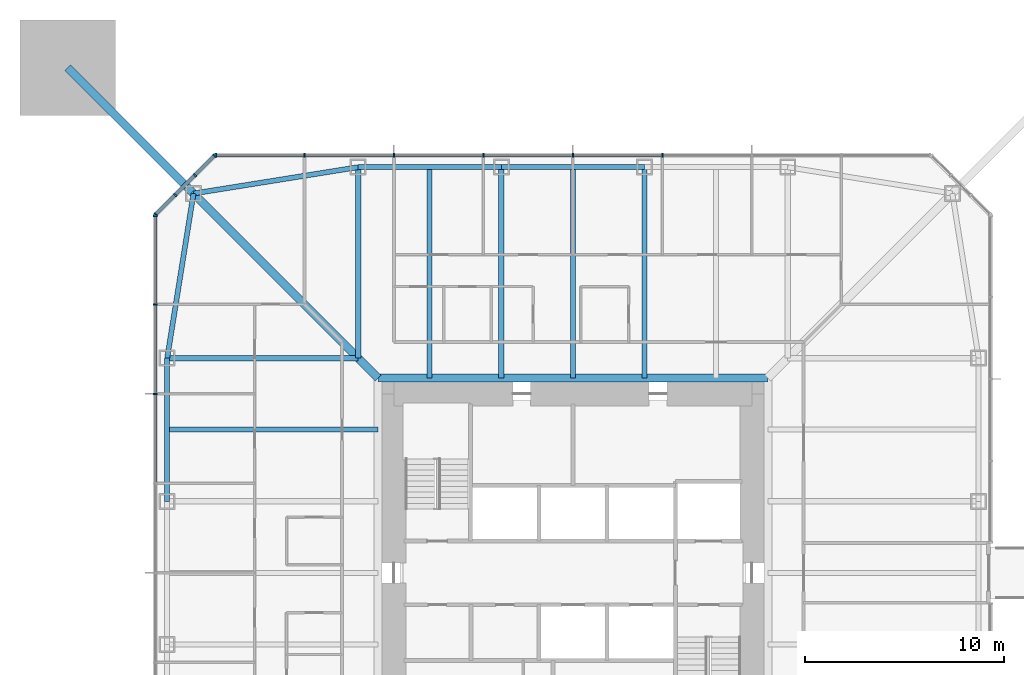
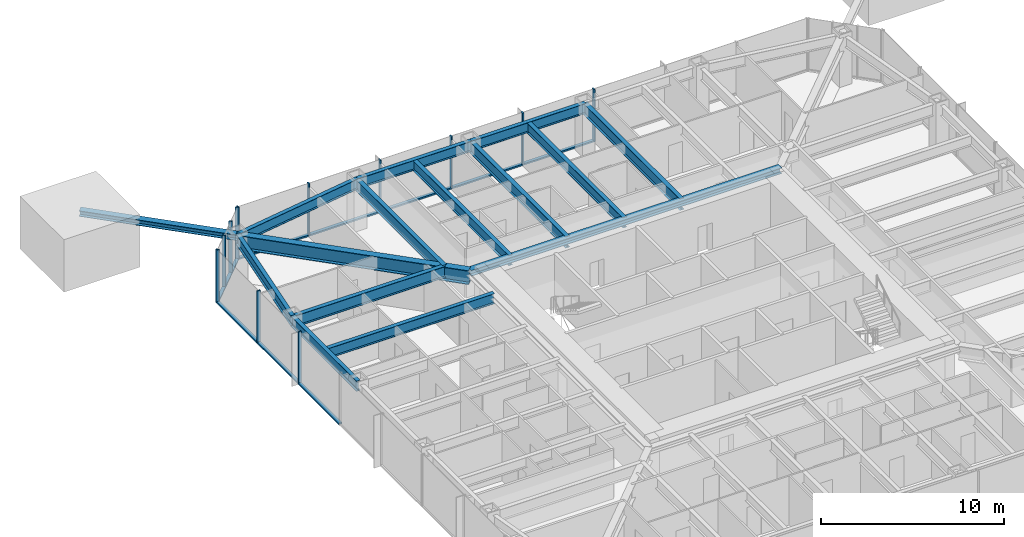
# One storey, part 7 of 23: 25 members, 14 beams, 3 elements without a shape of their own.
"""IFC4 building model written with IfcOpenShell, lengths in metres."""

from ifc_helpers import new_model, si_unit, direction, frame, origin, origin_2d, place, context, subcontext, project, spatial, rectangle, i_section, extrude, material, material_profile, profile_set, type_object, element, aggregate, save


model = new_model("IFC4")

# Units and contexts
model_context = context("Model", 3, precision=1e-05, world=origin(), true_north=direction((0.0, 1.0)))
body_context = subcontext(model_context, "Body", "Model", "MODEL_VIEW")
ifc_project = project(units=[si_unit("LENGTHUNIT", "METRE"), si_unit("AREAUNIT", "SQUARE_METRE"), si_unit("VOLUMEUNIT", "CUBIC_METRE"), si_unit("PLANEANGLEUNIT", "RADIAN"), si_unit("MASSUNIT", "GRAM", prefix="KILO")], contexts=[model_context])

# Site, building, storey
site_placement = place(None, origin())
site = spatial("IfcSite", under=ifc_project, at=site_placement, CompositionType="ELEMENT")
building_placement = place(site_placement, origin())
building = spatial("IfcBuilding", under=site, at=building_placement, Name="Iwan Alto Co-Living Towers", CompositionType="ELEMENT")
storey_placement = place(building_placement, frame((0.0, 0.0, 129.5)))
storey = spatial("IfcBuildingStorey", under=building, at=storey_placement, Name="L35", CompositionType="ELEMENT", Elevation=129.5)

# Curtain wall, members
ifc_material_1 = material(Name="Bronze aluminium unitised frame", Category="aluminium")
curtain_wall_type_1 = type_object("IfcCurtainWallType", Name="CURTAIN WALL CW-A", PredefinedType="NOTDEFINED", material=ifc_material_1)
curtain_wall_1_placement = place(storey_placement, origin())
curtain_wall_1 = element("IfcCurtainWall", 1, at=curtain_wall_1_placement, inside=storey, type_object=curtain_wall_type_1, Name="T1 curtain wall N L35", PredefinedType="NOTDEFINED")
ifc_material_2 = material(Name="Aluminium 6063-T6 bronze anodised", Category="aluminium")
ifc_material_profile_1 = material_profile(ifc_material_2, rectangle(XDim=0.199951171875, YDim=0.080078125, at=origin_2d()), Name="AL 80X200")
ifc_profile_set_1 = profile_set([ifc_material_profile_1], Name="Aluminium 6063-T6 bronze anodised")
member_type_1 = type_object("IfcMemberType", Name="CW-A MULLION 80X200", PredefinedType="MULLION", material=ifc_profile_set_1)
member_1_placement = place(storey_placement, frame((4.5, 21.0, 0.0), z_axis=(0.0, 0.0, 1.0), x_axis=(0.0, -1.0, 0.0)))
member_1 = element("IfcMember", 2, at=member_1_placement, type_object=member_type_1, Name="CW-A mullion 4", PredefinedType="MULLION", context=body_context, shape_type="SweptSolid", body=[
    extrude(rectangle(XDim=0.199951171875, YDim=0.080078125, at=origin_2d()), origin(), (0.0, 0.0, 1.0), 3.5),
])
member_2_placement = place(storey_placement, frame((0.0, 21.0, 0.0), z_axis=(0.0, 0.0, 1.0), x_axis=(0.0, -1.0, 0.0)))
member_2 = element("IfcMember", 3, at=member_2_placement, type_object=member_type_1, Name="CW-A mullion 5", PredefinedType="MULLION", context=body_context, shape_type="SweptSolid", body=[
    extrude(rectangle(XDim=0.199951171875, YDim=0.080078125, at=origin_2d()), origin(), (0.0, 0.0, 1.0), 3.5),
])
member_3_placement = place(storey_placement, frame((-4.5, 21.0, 0.0), z_axis=(0.0, 0.0, 1.0), x_axis=(0.0, -1.0, 0.0)))
member_3 = element("IfcMember", 4, at=member_3_placement, type_object=member_type_1, Name="CW-A mullion 6", PredefinedType="MULLION", context=body_context, shape_type="SweptSolid", body=[
    extrude(rectangle(XDim=0.199951171875, YDim=0.080078125, at=origin_2d()), origin(), (0.0, 0.0, 1.0), 3.5),
])
member_4_placement = place(storey_placement, frame((-9.0, 21.0, 0.0), z_axis=(0.0, 0.0, 1.0), x_axis=(0.0, -1.0, 0.0)))
member_4 = element("IfcMember", 5, at=member_4_placement, type_object=member_type_1, Name="CW-A mullion 7", PredefinedType="MULLION", context=body_context, shape_type="SweptSolid", body=[
    extrude(rectangle(XDim=0.199951171875, YDim=0.080078125, at=origin_2d()), origin(), (0.0, 0.0, 1.0), 3.5),
])
member_5_placement = place(storey_placement, frame((-13.5, 21.0, 0.0), z_axis=(0.0, 0.0, 1.0), x_axis=(0.0, -1.0, 0.0)))
member_5 = element("IfcMember", 6, at=member_5_placement, type_object=member_type_1, Name="CW-A mullion 8", PredefinedType="MULLION", context=body_context, shape_type="SweptSolid", body=[
    extrude(rectangle(XDim=0.199951171875, YDim=0.080078125, at=origin_2d()), origin(), (0.0, 0.0, 1.0), 3.5),
])
member_6_placement = place(storey_placement, frame((-17.9599609375, 21.0, 0.0), z_axis=(0.0, 0.0, 1.0), x_axis=(0.0, -1.0, 0.0)))
member_6 = element("IfcMember", 7, at=member_6_placement, type_object=member_type_1, Name="CW-A mullion 9", PredefinedType="MULLION", context=body_context, shape_type="SweptSolid", body=[
    extrude(rectangle(XDim=0.199951171875, YDim=0.080078125, at=origin_2d()), origin(), (0.0, 0.0, 1.0), 3.5),
])

curtain_wall_2_placement = place(storey_placement, origin())
curtain_wall_2 = element("IfcCurtainWall", 8, at=curtain_wall_2_placement, inside=storey, type_object=curtain_wall_type_1, Name="T1 curtain wall W L35", PredefinedType="NOTDEFINED")
member_7_placement = place(storey_placement, frame((-21.0, 17.9599609375, 0.0), z_axis=(0.0, 0.0, 1.0), x_axis=(1.0, 0.0, 0.0)))
member_7 = element("IfcMember", 9, at=member_7_placement, type_object=member_type_1, Name="CW-A mullion 1", PredefinedType="MULLION", context=body_context, shape_type="SweptSolid", body=[
    extrude(rectangle(XDim=0.199951171875, YDim=0.080078125, at=origin_2d()), origin(), (0.0, 0.0, 1.0), 3.5),
])
member_8_placement = place(storey_placement, frame((-21.0, 13.5, 0.0), z_axis=(0.0, 0.0, 1.0), x_axis=(1.0, 0.0, 0.0)))
member_8 = element("IfcMember", 10, at=member_8_placement, type_object=member_type_1, Name="CW-A mullion 2", PredefinedType="MULLION", context=body_context, shape_type="SweptSolid", body=[
    extrude(rectangle(XDim=0.199951171875, YDim=0.080078125, at=origin_2d()), origin(), (0.0, 0.0, 1.0), 3.5),
])
member_9_placement = place(storey_placement, frame((-21.0, 9.0, 0.0), z_axis=(0.0, 0.0, 1.0), x_axis=(1.0, 0.0, 0.0)))
member_9 = element("IfcMember", 11, at=member_9_placement, type_object=member_type_1, Name="CW-A mullion 3", PredefinedType="MULLION", context=body_context, shape_type="SweptSolid", body=[
    extrude(rectangle(XDim=0.199951171875, YDim=0.080078125, at=origin_2d()), origin(), (0.0, 0.0, 1.0), 3.5),
])

# Member
ifc_material_3 = material(Name="Aluminium 6063-T6 bronze anodised", Category="aluminium")
ifc_material_profile_2 = material_profile(ifc_material_3, rectangle(XDim=0.199951171875, YDim=0.10009765625, at=origin_2d()), Name="AL 200X100")
ifc_profile_set_2 = profile_set([ifc_material_profile_2], Name="Aluminium 6063-T6 bronze anodised")
member_type_2 = type_object("IfcMemberType", Name="CW-A TRANSOM 200X100", PredefinedType="USERDEFINED", material=ifc_profile_set_2)
member_10_placement = place(storey_placement, frame((4.4599609375, 21.0, 0.050048828125), z_axis=(-1.0, 0.0, 0.0), x_axis=(0.0, -1.0, 0.0)))
member_10 = element("IfcMember", 12, at=member_10_placement, type_object=member_type_2, Name="CW-A transom 4.1", ObjectType="TRANSOM", PredefinedType="USERDEFINED", context=body_context, shape_type="SweptSolid", body=[
    extrude(rectangle(XDim=0.199951171875, YDim=0.10009765625, at=origin_2d()), origin(), (0.0, 0.0, 1.0), 4.419921875),
])

member_11_placement = place(storey_placement, frame((-0.0400390625, 21.0, 0.050048828125), z_axis=(-1.0, 0.0, 0.0), x_axis=(0.0, -1.0, 0.0)))
member_11 = element("IfcMember", 13, at=member_11_placement, type_object=member_type_2, Name="CW-A transom 5.1", ObjectType="TRANSOM", PredefinedType="USERDEFINED", context=body_context, shape_type="SweptSolid", body=[
    extrude(rectangle(XDim=0.199951171875, YDim=0.10009765625, at=origin_2d()), origin(), (0.0, 0.0, 1.0), 4.419921875),
])

member_12_placement = place(storey_placement, frame((-4.5400390625, 21.0, 0.050048828125), z_axis=(-1.0, 0.0, 0.0), x_axis=(0.0, -1.0, 0.0)))
member_12 = element("IfcMember", 14, at=member_12_placement, type_object=member_type_2, Name="CW-A transom 6.1", ObjectType="TRANSOM", PredefinedType="USERDEFINED", context=body_context, shape_type="SweptSolid", body=[
    extrude(rectangle(XDim=0.199951171875, YDim=0.10009765625, at=origin_2d()), origin(), (0.0, 0.0, 1.0), 4.419921875),
])

member_13_placement = place(storey_placement, frame((-9.0400390625, 21.0, 0.050048828125), z_axis=(-1.0, 0.0, 0.0), x_axis=(0.0, -1.0, 0.0)))
member_13 = element("IfcMember", 15, at=member_13_placement, type_object=member_type_2, Name="CW-A transom 7.1", ObjectType="TRANSOM", PredefinedType="USERDEFINED", context=body_context, shape_type="SweptSolid", body=[
    extrude(rectangle(XDim=0.199951171875, YDim=0.10009765625, at=origin_2d()), origin(), (0.0, 0.0, 1.0), 4.419921875),
])

member_14_placement = place(storey_placement, frame((-13.5400390625, 21.0, 0.050048828125), z_axis=(-1.0, 0.0, 0.0), x_axis=(0.0, -1.0, 0.0)))
member_14 = element("IfcMember", 16, at=member_14_placement, type_object=member_type_2, Name="CW-A transom 8.1", ObjectType="TRANSOM", PredefinedType="USERDEFINED", context=body_context, shape_type="SweptSolid", body=[
    extrude(rectangle(XDim=0.199951171875, YDim=0.10009765625, at=origin_2d()), origin(), (0.0, 0.0, 1.0), 4.3798828125),
])

aggregate(curtain_wall_1, [member_1, member_2, member_3, member_4, member_5, member_6, member_10, member_11, member_12, member_13, member_14])

member_15_placement = place(storey_placement, frame((-21.0, 17.919921875, 0.050048828125), z_axis=(0.0, -1.0, 0.0), x_axis=(1.0, 0.0, 0.0)))
member_15 = element("IfcMember", 17, at=member_15_placement, type_object=member_type_2, Name="CW-A transom 1.1", ObjectType="TRANSOM", PredefinedType="USERDEFINED", context=body_context, shape_type="SweptSolid", body=[
    extrude(rectangle(XDim=0.199951171875, YDim=0.10009765625, at=origin_2d()), origin(), (0.0, 0.0, 1.0), 4.3798828125),
])

member_16_placement = place(storey_placement, frame((-21.0, 13.4599609375, 0.050048828125), z_axis=(0.0, -1.0, 0.0), x_axis=(1.0, 0.0, 0.0)))
member_16 = element("IfcMember", 18, at=member_16_placement, type_object=member_type_2, Name="CW-A transom 2.1", ObjectType="TRANSOM", PredefinedType="USERDEFINED", context=body_context, shape_type="SweptSolid", body=[
    extrude(rectangle(XDim=0.199951171875, YDim=0.10009765625, at=origin_2d()), origin(), (0.0, 0.0, 1.0), 4.419921875),
])

member_17_placement = place(storey_placement, frame((-21.0, 8.9599609375, 0.050048828125), z_axis=(0.0, -1.0, 0.0), x_axis=(1.0, 0.0, 0.0)))
member_17 = element("IfcMember", 19, at=member_17_placement, type_object=member_type_2, Name="CW-A transom 3.1", ObjectType="TRANSOM", PredefinedType="USERDEFINED", context=body_context, shape_type="SweptSolid", body=[
    extrude(rectangle(XDim=0.199951171875, YDim=0.10009765625, at=origin_2d()), origin(), (0.0, 0.0, 1.0), 4.419921875),
])

aggregate(curtain_wall_2, [member_7, member_8, member_9, member_15, member_16, member_17])

# Curtain wall, members
ifc_material_4 = material(Name="Bronze aluminium unitised frame", Category="aluminium")
curtain_wall_type_2 = type_object("IfcCurtainWallType", Name="CURTAIN WALL CW-B", PredefinedType="NOTDEFINED", material=ifc_material_4)
curtain_wall_3_placement = place(storey_placement, origin())
curtain_wall_3 = element("IfcCurtainWall", 20, at=curtain_wall_3_placement, inside=storey, type_object=curtain_wall_type_2, Name="T1 chamfer curtain wall NW L35", PredefinedType="NOTDEFINED")
ifc_material_5 = material(Name="Aluminium 6063-T6 bronze anodised", Category="aluminium")
ifc_material_profile_3 = material_profile(ifc_material_5, rectangle(XDim=0.199951171875, YDim=0.080078125, at=origin_2d()), Name="AL 80X200")
ifc_profile_set_3 = profile_set([ifc_material_profile_3], Name="Aluminium 6063-T6 bronze anodised")
member_type_3 = type_object("IfcMemberType", Name="CW-B MULLION 80X200", PredefinedType="MULLION", material=ifc_profile_set_3)
member_18_placement = place(storey_placement, frame((-18.0283203125, 20.9716796875, 0.0), z_axis=(0.0, 0.0, 1.0), x_axis=(0.707106781187, -0.707106781187, 0.0)))
member_18 = element("IfcMember", 21, at=member_18_placement, type_object=member_type_3, Name="CW-B mullion 1", PredefinedType="MULLION", context=body_context, shape_type="SweptSolid", body=[
    extrude(rectangle(XDim=0.199951171875, YDim=0.080078125, at=origin_2d()), origin(), (0.0, 0.0, 1.0), 3.5),
])
member_19_placement = place(storey_placement, frame((-19.0, 20.0, 0.0), z_axis=(0.0, 0.0, 1.0), x_axis=(0.707106781187, -0.707106781187, 0.0)))
member_19 = element("IfcMember", 22, at=member_19_placement, type_object=member_type_3, Name="CW-B mullion 2", PredefinedType="MULLION", context=body_context, shape_type="SweptSolid", body=[
    extrude(rectangle(XDim=0.199951171875, YDim=0.080078125, at=origin_2d()), origin(), (0.0, 0.0, 1.0), 3.5),
])
member_20_placement = place(storey_placement, frame((-20.0, 19.0, 0.0), z_axis=(0.0, 0.0, 1.0), x_axis=(0.707106781187, -0.707106781187, 0.0)))
member_20 = element("IfcMember", 23, at=member_20_placement, type_object=member_type_3, Name="CW-B mullion 3", PredefinedType="MULLION", context=body_context, shape_type="SweptSolid", body=[
    extrude(rectangle(XDim=0.199951171875, YDim=0.080078125, at=origin_2d()), origin(), (0.0, 0.0, 1.0), 3.5),
])
member_21_placement = place(storey_placement, frame((-20.9716796875, 18.0283203125, 0.0), z_axis=(0.0, 0.0, 1.0), x_axis=(0.707106781187, -0.707106781187, 0.0)))
member_21 = element("IfcMember", 24, at=member_21_placement, type_object=member_type_3, Name="CW-B mullion 4", PredefinedType="MULLION", context=body_context, shape_type="SweptSolid", body=[
    extrude(rectangle(XDim=0.199951171875, YDim=0.080078125, at=origin_2d()), origin(), (0.0, 0.0, 1.0), 3.5),
])
ifc_material_6 = material(Name="Aluminium 6063-T6 bronze anodised", Category="aluminium")
ifc_material_profile_4 = material_profile(ifc_material_6, rectangle(XDim=0.199951171875, YDim=0.10009765625, at=origin_2d()), Name="AL 200X100")
ifc_profile_set_4 = profile_set([ifc_material_profile_4], Name="Aluminium 6063-T6 bronze anodised")
member_type_4 = type_object("IfcMemberType", Name="CW-B TRANSOM 200X100", PredefinedType="USERDEFINED", material=ifc_profile_set_4)
member_22_placement = place(storey_placement, frame((-18.056640625, 20.943359375, 0.050048828125), z_axis=(-0.707106781187, -0.707106781187, 0.0), x_axis=(0.707106781187, -0.707106781187, 0.0)))
member_22 = element("IfcMember", 25, at=member_22_placement, type_object=member_type_4, Name="CW-B transom 1.1", ObjectType="TRANSOM", PredefinedType="USERDEFINED", context=body_context, shape_type="SweptSolid", body=[
    extrude(rectangle(XDim=0.199951171875, YDim=0.10009765625, at=origin_2d()), origin(), (0.0, 0.0, 1.0), 1.2939453125),
])
member_23_placement = place(storey_placement, frame((-19.0283203125, 19.9716796875, 0.050048828125), z_axis=(-0.707106781187, -0.707106781187, 0.0), x_axis=(0.707106781187, -0.707106781187, 0.0)))
member_23 = element("IfcMember", 26, at=member_23_placement, type_object=member_type_4, Name="CW-B transom 2.1", ObjectType="TRANSOM", PredefinedType="USERDEFINED", context=body_context, shape_type="SweptSolid", body=[
    extrude(rectangle(XDim=0.199951171875, YDim=0.10009765625, at=origin_2d()), origin(), (0.0, 0.0, 1.0), 1.334228515625),
])
member_24_placement = place(storey_placement, frame((-20.0283203125, 18.9716796875, 0.050048828125), z_axis=(-0.707106781187, -0.707106781187, 0.0), x_axis=(0.707106781187, -0.707106781187, 0.0)))
member_24 = element("IfcMember", 27, at=member_24_placement, type_object=member_type_4, Name="CW-B transom 3.1", ObjectType="TRANSOM", PredefinedType="USERDEFINED", context=body_context, shape_type="SweptSolid", body=[
    extrude(rectangle(XDim=0.199951171875, YDim=0.10009765625, at=origin_2d()), origin(), (0.0, 0.0, 1.0), 1.2939453125),
])
aggregate(curtain_wall_3, [member_18, member_19, member_20, member_21, member_22, member_23, member_24])

# Beams
ifc_material_7 = material(Name="Steel ASTM A992 Gr 50", Category="steel")
ifc_material_profile_5 = material_profile(ifc_material_7, i_section(OverallWidth=0.398681640625, OverallDepth=0.385986328125, WebThickness=0.02099609375, FlangeThickness=0.033203125, at=origin_2d()), Name="W14X176")
ifc_profile_set_5 = profile_set([ifc_material_profile_5], Name="Steel ASTM A992 Gr 50")
beam_type_1 = type_object("IfcBeamType", Name="T1 CORE LEDGER BEAM W14X176", PredefinedType="BEAM", material=ifc_profile_set_5)
beam_1_placement = place(storey_placement, frame((9.79931640625, 9.79931640625, 3.076904296875), z_axis=(-1.0, 0.0, 0.0), x_axis=(0.0, -1.0, 0.0)))
element("IfcBeam", 28, at=beam_1_placement, inside=storey, type_object=beam_type_1, Name="T1 core ledger beam N L36", PredefinedType="BEAM", context=body_context, shape_type="SweptSolid", body=[
    extrude(i_section(OverallWidth=0.398681640625, OverallDepth=0.385986328125, WebThickness=0.02099609375, FlangeThickness=0.033203125, at=origin_2d()), origin(), (0.0, 0.0, 1.0), 19.5986328125),
])
ifc_material_8 = material(Name="Steel ASTM A992 Gr 50", Category="steel")
ifc_material_profile_6 = material_profile(ifc_material_8, i_section(OverallWidth=0.419189453125, OverallDepth=0.927001953125, WebThickness=0.019287109375, FlangeThickness=0.031982421875, at=origin_2d()), Name="W36X231")
ifc_profile_set_6 = profile_set([ifc_material_profile_6], Name="Steel ASTM A992 Gr 50")
beam_type_2 = type_object("IfcBeamType", Name="T1 CORNER GIRDER W36X231", PredefinedType="BEAM", material=ifc_profile_set_6)
beam_2_placement = place(storey_placement, frame((-19.07568359375, 19.07568359375, 2.806396484375), z_axis=(0.707106781187, -0.707106781187, 0.0), x_axis=(0.707106781187, 0.707106781187, 0.0)))
element("IfcBeam", 29, at=beam_2_placement, inside=storey, type_object=beam_type_2, Name="T1 corner girder CNW L36", PredefinedType="BEAM", context=body_context, shape_type="SweptSolid", body=[
    extrude(i_section(OverallWidth=0.419189453125, OverallDepth=0.927001953125, WebThickness=0.019287109375, FlangeThickness=0.031982421875, at=origin_2d()), origin(), (0.0, 0.0, 1.0), 13.11865234375),
])
ifc_material_9 = material(Name="Steel ASTM A992 Gr 50", Category="steel")
ifc_material_profile_7 = material_profile(ifc_material_9, i_section(OverallWidth=0.25390625, OverallDepth=0.683349609375, WebThickness=0.012451171875, FlangeThickness=0.018798828125, at=origin_2d()), Name="W27X94")
ifc_profile_set_7 = profile_set([ifc_material_profile_7], Name="Steel ASTM A992 Gr 50")
beam_type_3 = type_object("IfcBeamType", Name="T1 EDGE BEAM W27X94", PredefinedType="BEAM", material=ifc_profile_set_7)
beam_3_placement = place(storey_placement, frame((3.60009765625, 20.39990234375, 2.928466796875), z_axis=(-1.0, 0.0, 0.0), x_axis=(0.0, -1.0, 0.0)))
element("IfcBeam", 30, at=beam_3_placement, inside=storey, type_object=beam_type_3, Name="T1 edge beam N2 L36", PredefinedType="BEAM", context=body_context, shape_type="SweptSolid", body=[
    extrude(i_section(OverallWidth=0.25390625, OverallDepth=0.683349609375, WebThickness=0.012451171875, FlangeThickness=0.018798828125, at=origin_2d()), origin(), (0.0, 0.0, 1.0), 7.2001953125),
])
beam_4_placement = place(storey_placement, frame((-3.60009765625, 20.39990234375, 2.928466796875), z_axis=(-1.0, 0.0, 0.0), x_axis=(0.0, -1.0, 0.0)))
element("IfcBeam", 31, at=beam_4_placement, inside=storey, type_object=beam_type_3, Name="T1 edge beam N3 L36", PredefinedType="BEAM", context=body_context, shape_type="SweptSolid", body=[
    extrude(i_section(OverallWidth=0.25390625, OverallDepth=0.683349609375, WebThickness=0.012451171875, FlangeThickness=0.018798828125, at=origin_2d()), origin(), (0.0, 0.0, 1.0), 7.199951171875),
])
for number, where, z_axis, x_axis, name in (
    (32, (-10.800048828125, 20.39990234375, 2.928466796875), (-0.987438450439, -0.158004134737, 0.0), (0.158004134737, -0.987438450439, 0.0), "T1 edge beam N4 L36"),
    (33, (-19.07568359375, 19.07568359375, 2.928466796875), (-0.158004134737, -0.987438450439, 0.0), (0.987438450439, -0.158004134737, 0.0), "T1 edge beam CNW L36"),
):
    element("IfcBeam", number, at=place(storey_placement, frame(where, z_axis=z_axis, x_axis=x_axis)), inside=storey, type_object=beam_type_3, Name=name, PredefinedType="BEAM", context=body_context, shape_type="SweptSolid", body=[
        extrude(i_section(OverallWidth=0.25390625, OverallDepth=0.683349609375, WebThickness=0.012451171875, FlangeThickness=0.018798828125, at=origin_2d()), origin(), (0.0, 0.0, 1.0), 8.380859375),
    ])
beam_5_placement = place(storey_placement, frame((-20.39990234375, 10.800048828125, 2.928466796875), z_axis=(0.0, -1.0, 0.0), x_axis=(1.0, 0.0, 0.0)))
element("IfcBeam", 34, at=beam_5_placement, inside=storey, type_object=beam_type_3, Name="T1 edge beam W1 L36", PredefinedType="BEAM", context=body_context, shape_type="SweptSolid", body=[
    extrude(i_section(OverallWidth=0.25390625, OverallDepth=0.683349609375, WebThickness=0.012451171875, FlangeThickness=0.018798828125, at=origin_2d()), origin(), (0.0, 0.0, 1.0), 7.199951171875),
])

# Member
ifc_material_10 = material(Name="Steel ASTM A992 Gr 50", Category="steel")
ifc_material_profile_8 = material_profile(ifc_material_10, i_section(OverallWidth=0.393798828125, OverallDepth=0.3759765625, WebThickness=0.017333984375, FlangeThickness=0.027587890625, at=origin_2d()), Name="W14X145")
ifc_profile_set_8 = profile_set([ifc_material_profile_8], Name="Steel ASTM A992 Gr 50")
member_type_5 = type_object("IfcMemberType", Name="T1 MEGA COLUMN FLOOR TIE W14X145", PredefinedType="STRUT", material=ifc_profile_set_8)
member_25_placement = place(storey_placement, frame((-25.39990234375, 25.39990234375, 3.08203125), z_axis=(0.707106781187, -0.707106781187, 0.0), x_axis=(0.707106781187, 0.707106781187, 0.0)))
element("IfcMember", 35, at=member_25_placement, inside=storey, type_object=member_type_5, Name="T1 mega column floor tie NW L36", PredefinedType="STRUT", context=body_context, shape_type="SweptSolid", body=[
    extrude(i_section(OverallWidth=0.393798828125, OverallDepth=0.3759765625, WebThickness=0.017333984375, FlangeThickness=0.027587890625, at=origin_2d()), origin(), (0.0, 0.0, 1.0), 8.94384765625),
])

# Beams
ifc_material_11 = material(Name="Steel ASTM A992 Gr 50", Category="steel")
ifc_material_profile_9 = material_profile(ifc_material_11, i_section(OverallWidth=0.2666015625, OverallDepth=0.761962890625, WebThickness=0.014404296875, FlangeThickness=0.021484375, at=origin_2d()), Name="W30X116")
ifc_profile_set_9 = profile_set([ifc_material_profile_9], Name="Steel ASTM A992 Gr 50")
beam_type_4 = type_object("IfcBeamType", Name="T1 RADIAL BEAM W30X116", PredefinedType="BEAM", material=ifc_profile_set_9)
for number, where, z_axis, x_axis, name in (
    (36, (3.60009765625, 20.39990234375, 2.888916015625), (0.0, -1.0, 0.0), (1.0, 0.0, 0.0), "T1 radial beam N2 L36"),
    (37, (-3.60009765625, 20.39990234375, 2.888916015625), (0.0, -1.0, 0.0), (1.0, 0.0, 0.0), "T1 radial beam N3 L36"),
):
    element("IfcBeam", number, at=place(storey_placement, frame(where, z_axis=z_axis, x_axis=x_axis)), inside=storey, type_object=beam_type_4, Name=name, PredefinedType="BEAM", context=body_context, shape_type="SweptSolid", body=[
        extrude(i_section(OverallWidth=0.2666015625, OverallDepth=0.761962890625, WebThickness=0.014404296875, FlangeThickness=0.021484375, at=origin_2d()), origin(), (0.0, 0.0, 1.0), 10.6005859375),
    ])
for number, where, z_axis, x_axis, name in (
    (38, (-10.800048828125, 20.39990234375, 2.888916015625), (0.0, -1.0, 0.0), (1.0, 0.0, 0.0), "T1 radial beam N4 L36"),
    (39, (-20.39990234375, 10.800048828125, 2.888916015625), (1.0, 0.0, 0.0), (0.0, 1.0, 0.0), "T1 radial beam W1 L36"),
):
    element("IfcBeam", number, at=place(storey_placement, frame(where, z_axis=z_axis, x_axis=x_axis)), inside=storey, type_object=beam_type_4, Name=name, PredefinedType="BEAM", context=body_context, shape_type="SweptSolid", body=[
        extrude(i_section(OverallWidth=0.2666015625, OverallDepth=0.761962890625, WebThickness=0.014404296875, FlangeThickness=0.021484375, at=origin_2d()), origin(), (0.0, 0.0, 1.0), 9.599853515625),
    ])
ifc_material_12 = material(Name="Steel ASTM A992 Gr 50", Category="steel")
ifc_material_profile_10 = material_profile(ifc_material_12, i_section(OverallWidth=0.25390625, OverallDepth=0.683349609375, WebThickness=0.012451171875, FlangeThickness=0.018798828125, at=origin_2d()), Name="W27X94")
ifc_profile_set_10 = profile_set([ifc_material_profile_10], Name="Steel ASTM A992 Gr 50")
beam_type_5 = type_object("IfcBeamType", Name="T1 SECONDARY BEAM W27X94", PredefinedType="JOIST", material=ifc_profile_set_10)
for number, where, z_axis, x_axis, name in (
    (40, (0.0, 20.39990234375, 2.928466796875), (0.0, -1.0, 0.0), (1.0, 0.0, 0.0), "T1 secondary beam N2 L36"),
    (41, (-7.199951171875, 20.39990234375, 2.928466796875), (0.0, -1.0, 0.0), (1.0, 0.0, 0.0), "T1 secondary beam N3 L36"),
    (42, (-20.39990234375, 7.199951171875, 2.928466796875), (1.0, 0.0, 0.0), (0.0, 1.0, 0.0), "T1 secondary beam W1 L36"),
):
    element("IfcBeam", number, at=place(storey_placement, frame(where, z_axis=z_axis, x_axis=x_axis)), inside=storey, type_object=beam_type_5, Name=name, PredefinedType="JOIST", context=body_context, shape_type="SweptSolid", body=[
        extrude(i_section(OverallWidth=0.25390625, OverallDepth=0.683349609375, WebThickness=0.012451171875, FlangeThickness=0.018798828125, at=origin_2d()), origin(), (0.0, 0.0, 1.0), 10.6005859375),
    ])

save(model, "model.ifc")
